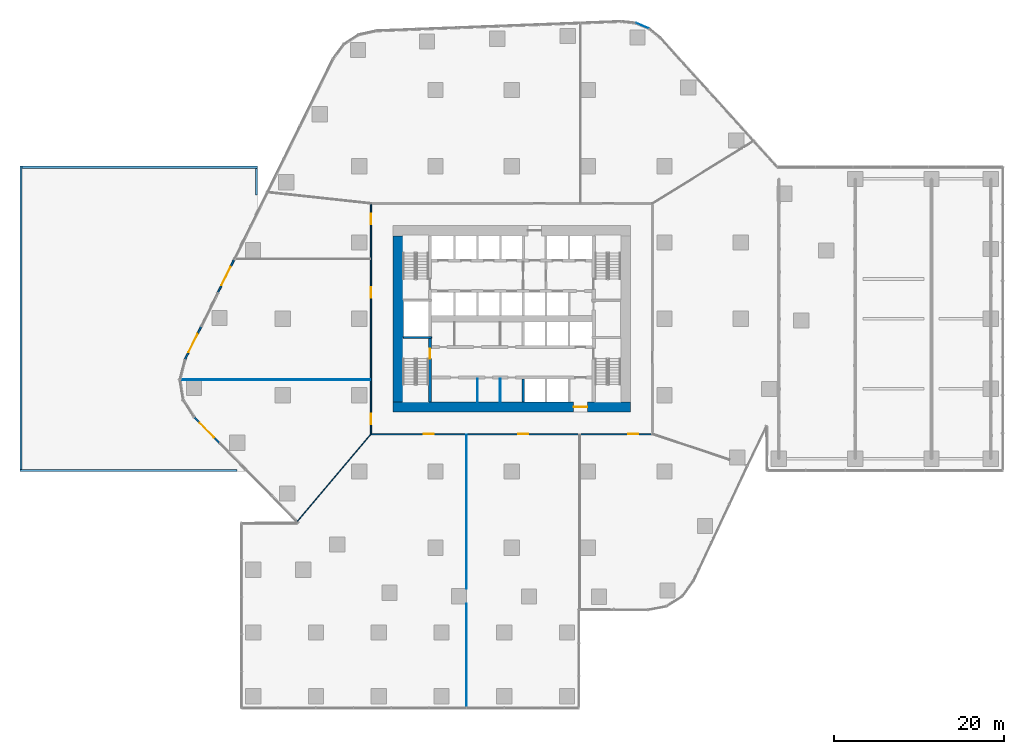
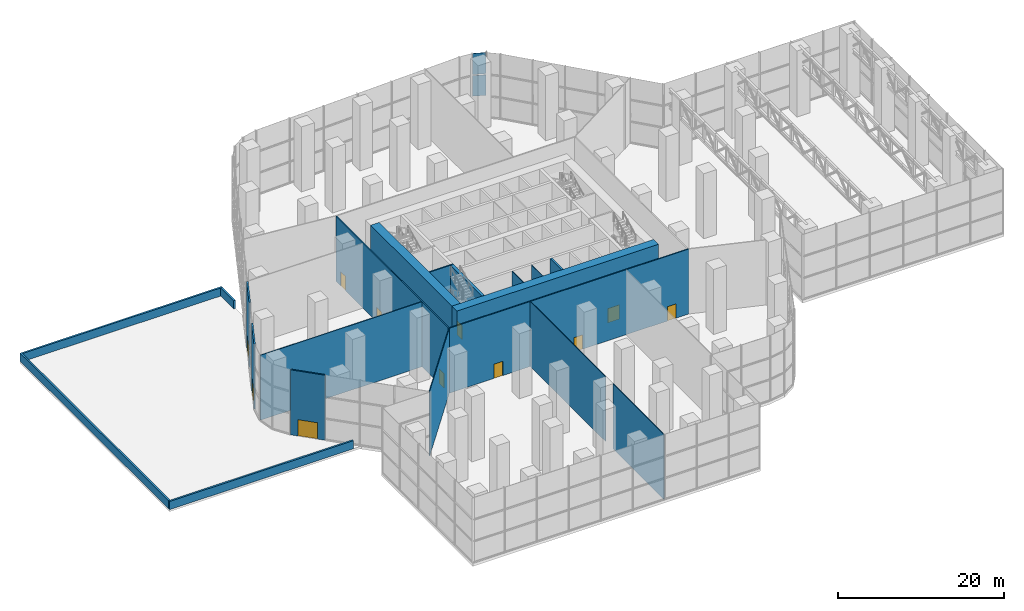
# One storey, part 15 of 21: 20 walls, 11 doors, 2 plates, 11 openings, 1 element without a shape of its own.
"""IFC4 building model written with IfcOpenShell, lengths in metres."""

from ifc_helpers import new_model, si_unit, direction, frame, frame_2d, origin, origin_2d, place, context, subcontext, project, spatial, rectangle, extrude, material, layer, layer_set, type_object, element, fill, aggregate, save


model = new_model("IFC4")

# Units and contexts
model_context = context("Model", 3, precision=1e-05, world=origin(), true_north=direction((0.0, 1.0)))
body_context = subcontext(model_context, "Body", "Model", "MODEL_VIEW")
ifc_project = project(units=[si_unit("LENGTHUNIT", "METRE"), si_unit("AREAUNIT", "SQUARE_METRE"), si_unit("VOLUMEUNIT", "CUBIC_METRE"), si_unit("PLANEANGLEUNIT", "RADIAN"), si_unit("MASSUNIT", "GRAM", prefix="KILO")], contexts=[model_context])

# Site, building, storey
site_placement = place(None, origin())
site = spatial("IfcSite", under=ifc_project, at=site_placement, CompositionType="ELEMENT")
building_placement = place(site_placement, origin())
building = spatial("IfcBuilding", under=site, at=building_placement, Name="Dongbaek Canopy Tower", CompositionType="ELEMENT")
storey_placement = place(building_placement, frame((0.0, 0.0, 9.0)))
storey = spatial("IfcBuildingStorey", under=building, at=storey_placement, Name="L01", CompositionType="ELEMENT", Elevation=9.0)

# Curtain wall, plates
ifc_material_1 = material(Name="Aluminium 6063-T6 pale anodised", Category="aluminium")
ifc_layer_1 = layer(ifc_material_1, 0.300048828125)
ifc_layer_set_1 = layer_set([ifc_layer_1], Name="CW-2 podium hall curtain wall")
curtain_wall_type = type_object("IfcCurtainWallType", Name="CW-2 podium hall curtain wall", PredefinedType="NOTDEFINED", material=ifc_layer_set_1)
curtain_wall_placement = place(storey_placement, origin())
curtain_wall = element("IfcCurtainWall", 1, at=curtain_wall_placement, inside=storey, type_object=curtain_wall_type, Name="CW-2 curtain wall K1.1", PredefinedType="NOTDEFINED")
ifc_material_2 = material(Name="Clear laminated glass", Category="glass")
ifc_layer_2 = layer(ifc_material_2, 0.035888671875)
ifc_layer_set_2 = layer_set([ifc_layer_2], Name="CW-2 glazed panel 36")
plate_type = type_object("IfcPlateType", Name="CW-2 glazed panel 36", PredefinedType="CURTAIN_PANEL", material=ifc_layer_set_2)
plate_1_placement = place(storey_placement, frame((15.412109375, 34.576416015625, 3.26318359375), z_axis=(0.0, 0.0, 1.0), x_axis=(-0.921712269238, 0.387874325956, 0.0)))
plate_1 = element("IfcPlate", 2, at=plate_1_placement, type_object=plate_type, Name="CW-2 panel K1.1.2.2", PredefinedType="CURTAIN_PANEL", context=body_context, shape_type="SweptSolid", body=[
    extrude(rectangle(XDim=1.606689453125, YDim=0.035888671875, at=origin_2d()), origin(), (0.0, 0.0, 1.0), 3.0234375),
])
plate_2_placement = place(storey_placement, frame((15.412109375, 34.576416015625, 6.44677734375), z_axis=(0.0, 0.0, 1.0), x_axis=(-0.921712269238, 0.387874325956, 0.0)))
plate_2 = element("IfcPlate", 3, at=plate_2_placement, type_object=plate_type, Name="CW-2 panel K1.1.2.3", PredefinedType="CURTAIN_PANEL", context=body_context, shape_type="SweptSolid", body=[
    extrude(rectangle(XDim=1.606689453125, YDim=0.035888671875, at=origin_2d()), origin(), (0.0, 0.0, 1.0), 3.103271484375),
])
aggregate(curtain_wall, [plate_1, plate_2])

# Wall, opening, door
ifc_material_3 = material(Name="Concrete C60/75", Category="concrete")
ifc_layer_3 = layer(ifc_material_3, 1.199951171875)
ifc_layer_set_3 = layer_set([ifc_layer_3], Name="Core outer wall 1200 Concrete C60/75")
wall_type_1 = type_object("IfcWallType", Name="Core outer wall 1200 Concrete C60/75", PredefinedType="SHEAR", material=ifc_layer_set_3)
wall_1_placement = place(storey_placement, frame((14.0, -10.39990234375, 0.0), z_axis=(0.0, 0.0, 1.0), x_axis=(-1.0, 0.0, 0.0)))
wall_1 = element("IfcWall", 4, at=wall_1_placement, inside=storey, type_object=wall_type_1, Name="Core wall", PredefinedType="SHEAR", context=body_context, shape_type="SweptSolid", body=[
    extrude(rectangle(XDim=28.0, YDim=1.199951171875, at=frame_2d((14.0, 0.0))), origin(), (0.0, 0.0, 1.0), 9.550048828125),
])
opening_1_placement = place(wall_1_placement, frame((5.10009765625, 0.0, 0.0)))
opening_1 = element("IfcOpeningElement", 5, at=opening_1_placement, cuts=wall_1, Name="Opening L01-D027", PredefinedType="OPENING", context=body_context, shape_type="SweptSolid", body=[
    extrude(rectangle(XDim=1.60009765625, YDim=2.10009765625, at=frame_2d((0.800048828125, 1.050048828125))), frame((0.0, 0.60986328125, 0.0), z_axis=(0.0, -1.0, 0.0), x_axis=(1.0, 0.0, 0.0)), (0.0, 0.0, 1.0), 1.219970703125),
])
ifc_material_4 = material(Name="Steel", Category="steel")
door_type_1 = type_object("IfcDoorType", Name="Core exit door 1600 x 2100", OperationType="DOUBLE_DOOR_SINGLE_SWING", PredefinedType="DOOR", material=ifc_material_4)
door_1_placement = place(opening_1_placement, origin())
door_1 = element("IfcDoor", 6, at=door_1_placement, inside=storey, type_object=door_type_1, Name="Core exit door", OperationType="DOUBLE_DOOR_SINGLE_SWING", OverallHeight=2.10009765625, OverallWidth=1.60009765625, PredefinedType="DOOR", context=body_context, shape_type="SweptSolid", body=[
    extrude(rectangle(XDim=1.60009765625, YDim=2.10009765625, at=frame_2d((0.800048828125, 1.050048828125))), frame((0.0, 0.02490234375, 0.0), z_axis=(0.0, -1.0, 0.0), x_axis=(1.0, 0.0, 0.0)), (0.0, 0.0, 1.0), 0.050048828125),
])
fill(opening_1, door_1)

# Wall
wall_2_placement = place(storey_placement, frame((-13.39990234375, -9.800048828125, 0.0), z_axis=(0.0, 0.0, 1.0), x_axis=(0.0, 1.0, 0.0)))
element("IfcWall", 7, at=wall_2_placement, inside=storey, type_object=wall_type_1, Name="Core wall", PredefinedType="SHEAR", context=body_context, shape_type="SweptSolid", body=[
    extrude(rectangle(XDim=19.60009765625, YDim=1.199951171875, at=frame_2d((9.800048828125, 0.0))), origin(), (0.0, 0.0, 1.0), 9.550048828125),
])

# Wall, opening, door
ifc_material_5 = material(Name="Aluminium window wall", Category="aluminium")
ifc_layer_4 = layer(ifc_material_5, 0.199951171875)
ifc_layer_set_4 = layer_set([ifc_layer_4], Name="Entrance wall 200")
wall_type_2 = type_object("IfcWallType", Name="Entrance wall 200", PredefinedType="SOLIDWALL", material=ifc_layer_set_4)
wall_3_placement = place(storey_placement, frame((-34.68115234375, 3.05859375, 0.0), z_axis=(0.0, 0.0, 1.0), x_axis=(0.441343829608, 0.897338076796, 0.0)))
wall_3 = element("IfcWall", 8, at=wall_3_placement, inside=storey, type_object=wall_type_2, Name="Entrance wall L01 F7 7", PredefinedType="SOLIDWALL", context=body_context, shape_type="SweptSolid", body=[
    extrude(rectangle(XDim=4.3994140625, YDim=0.199951171875, at=frame_2d((2.19970703125, 0.0))), origin(), (0.0, 0.0, 1.0), 9.550048828125),
])
opening_2_placement = place(wall_3_placement, frame((0.999755859375, 0.0, 0.0)))
opening_2 = element("IfcOpeningElement", 9, at=opening_2_placement, cuts=wall_3, Name="Opening L01-T01", PredefinedType="OPENING", context=body_context, shape_type="SweptSolid", body=[
    extrude(rectangle(XDim=2.39990234375, YDim=2.39990234375, at=frame_2d((1.199951171875, 1.199951171875))), frame((0.0, 0.10986328125, 0.0), z_axis=(0.0, -1.0, 0.0), x_axis=(1.0, 0.0, 0.0)), (0.0, 0.0, 1.0), 0.219970703125),
])
ifc_material_6 = material(Name="Clear glazing in aluminium frame", Category="aluminium")
door_type_2 = type_object("IfcDoorType", Name="Entrance door ED1 2400 x 2400", OperationType="DOUBLE_DOOR_SINGLE_SWING", PredefinedType="DOOR", material=ifc_material_6)
door_2_placement = place(opening_2_placement, origin())
door_2 = element("IfcDoor", 10, at=door_2_placement, inside=storey, type_object=door_type_2, Name="Exterior door L01-T01", OperationType="SINGLE_SWING_LEFT", OverallHeight=2.39990234375, OverallWidth=2.39990234375, PredefinedType="DOOR", context=body_context, shape_type="SweptSolid", body=[
    extrude(rectangle(XDim=2.39990234375, YDim=2.39990234375, at=frame_2d((1.199951171875, 1.199951171875))), frame((0.0, 0.02490234375, 0.0), z_axis=(0.0, -1.0, 0.0), x_axis=(1.0, 0.0, 0.0)), (0.0, 0.0, 1.0), 0.050048828125),
])
fill(opening_2, door_2)

wall_4_placement = place(storey_placement, frame((-38.559814453125, -4.82763671875, 0.0), z_axis=(0.0, 0.0, 1.0), x_axis=(0.44132993544, 0.897344910324, 0.0)))
wall_4 = element("IfcWall", 11, at=wall_4_placement, inside=storey, type_object=wall_type_2, Name="Entrance wall L01 F7 9", PredefinedType="SOLIDWALL", context=body_context, shape_type="SweptSolid", body=[
    extrude(rectangle(XDim=4.388916015625, YDim=0.199951171875, at=frame_2d((2.1943359375, 0.0))), origin(), (0.0, 0.0, 1.0), 9.550048828125),
])
opening_3_placement = place(wall_4_placement, frame((0.99462890625, 0.0, 0.0)))
opening_3 = element("IfcOpeningElement", 12, at=opening_3_placement, cuts=wall_4, Name="Opening L01-T02", PredefinedType="OPENING", context=body_context, shape_type="SweptSolid", body=[
    extrude(rectangle(XDim=2.39990234375, YDim=2.39990234375, at=frame_2d((1.199951171875, 1.199951171875))), frame((0.0, 0.10986328125, 0.0), z_axis=(0.0, -1.0, 0.0), x_axis=(1.0, 0.0, 0.0)), (0.0, 0.0, 1.0), 0.219970703125),
])
door_3_placement = place(opening_3_placement, origin())
door_3 = element("IfcDoor", 13, at=door_3_placement, inside=storey, type_object=door_type_2, Name="Exterior door L01-T02", OperationType="SINGLE_SWING_LEFT", OverallHeight=2.39990234375, OverallWidth=2.39990234375, PredefinedType="DOOR", context=body_context, shape_type="SweptSolid", body=[
    extrude(rectangle(XDim=2.39990234375, YDim=2.39990234375, at=frame_2d((1.199951171875, 1.199951171875))), frame((0.0, 0.02490234375, 0.0), z_axis=(0.0, -1.0, 0.0), x_axis=(1.0, 0.0, 0.0)), (0.0, 0.0, 1.0), 0.050048828125),
])
fill(opening_3, door_3)

wall_5_placement = place(storey_placement, frame((-34.432861328125, -14.668212890625, 0.0), z_axis=(0.0, 0.0, 1.0), x_axis=(-0.701721153611, 0.712451698415, 0.0)))
wall_5 = element("IfcWall", 14, at=wall_5_placement, inside=storey, type_object=wall_type_2, Name="Entrance wall L01 F8 1", PredefinedType="SOLIDWALL", context=body_context, shape_type="SweptSolid", body=[
    extrude(rectangle(XDim=4.32275390625, YDim=0.199951171875, at=frame_2d((2.161376953125, 0.0))), origin(), (0.0, 0.0, 1.0), 9.550048828125),
])
opening_4_placement = place(wall_5_placement, frame((0.96142578125, 0.0, 0.0)))
opening_4 = element("IfcOpeningElement", 15, at=opening_4_placement, cuts=wall_5, Name="Opening L01-T03", PredefinedType="OPENING", context=body_context, shape_type="SweptSolid", body=[
    extrude(rectangle(XDim=2.39990234375, YDim=2.39990234375, at=frame_2d((1.199951171875, 1.199951171875))), frame((0.0, 0.10986328125, 0.0), z_axis=(0.0, -1.0, 0.0), x_axis=(1.0, 0.0, 0.0)), (0.0, 0.0, 1.0), 0.219970703125),
])
door_4_placement = place(opening_4_placement, origin())
door_4 = element("IfcDoor", 16, at=door_4_placement, inside=storey, type_object=door_type_2, Name="Exterior door L01-T03", OperationType="SINGLE_SWING_LEFT", OverallHeight=2.39990234375, OverallWidth=2.39990234375, PredefinedType="DOOR", context=body_context, shape_type="SweptSolid", body=[
    extrude(rectangle(XDim=2.39990234375, YDim=2.39990234375, at=frame_2d((1.199951171875, 1.199951171875))), frame((0.0, 0.02490234375, 0.0), z_axis=(0.0, -1.0, 0.0), x_axis=(1.0, 0.0, 0.0)), (0.0, 0.0, 1.0), 0.050048828125),
])
fill(opening_4, door_4)

# Wall, openings, doors
ifc_material_7 = material(Name="Gypsum board partition, steel stud, 2 x 15 mm fire board", Category="steel")
ifc_layer_5 = layer(ifc_material_7, 0.14990234375)
ifc_layer_set_5 = layer_set([ifc_layer_5], Name="Fire-rated partition 150 gypsum board")
wall_type_3 = type_object("IfcWallType", Name="Fire-rated partition 150 gypsum board", PredefinedType="PARTITIONING", material=ifc_layer_set_5)
wall_6_placement = place(storey_placement, frame((16.675048828125, -13.60009765625, 0.0), z_axis=(0.0, 0.0, 1.0), x_axis=(-1.0, 0.0, 0.0)))
wall_6 = element("IfcWall", 17, at=wall_6_placement, inside=storey, type_object=wall_type_3, Name="Corridor partition", PredefinedType="PARTITIONING", context=body_context, shape_type="SweptSolid", body=[
    extrude(rectangle(XDim=33.35009765625, YDim=0.14990234375, at=frame_2d((16.675048828125, 0.0))), origin(), (0.0, 0.0, 1.0), 9.550048828125),
])
opening_5_placement = place(wall_6_placement, frame((25.852783203125, 0.0, 0.0)))
opening_5 = element("IfcOpeningElement", 18, at=opening_5_placement, cuts=wall_6, Name="Opening L01-D003", PredefinedType="OPENING", context=body_context, shape_type="SweptSolid", body=[
    extrude(rectangle(XDim=1.199951171875, YDim=2.10009765625, at=frame_2d((0.60009765625, 1.050048828125))), frame((0.0, 0.0849609375, 0.0), z_axis=(0.0, -1.0, 0.0), x_axis=(1.0, 0.0, 0.0)), (0.0, 0.0, 1.0), 0.169921875),
])
opening_6_placement = place(wall_6_placement, frame((14.74169921875, 0.0, 0.0)))
opening_6 = element("IfcOpeningElement", 19, at=opening_6_placement, cuts=wall_6, Name="Opening L01-D004", PredefinedType="OPENING", context=body_context, shape_type="SweptSolid", body=[
    extrude(rectangle(XDim=1.199951171875, YDim=2.10009765625, at=frame_2d((0.60009765625, 1.050048828125))), frame((0.0, 0.0849609375, 0.0), z_axis=(0.0, -1.0, 0.0), x_axis=(1.0, 0.0, 0.0)), (0.0, 0.0, 1.0), 0.169921875),
])
opening_7_placement = place(wall_6_placement, frame((1.763671875, 0.0, 0.0)))
opening_7 = element("IfcOpeningElement", 20, at=opening_7_placement, cuts=wall_6, Name="Opening L01-D005", PredefinedType="OPENING", context=body_context, shape_type="SweptSolid", body=[
    extrude(rectangle(XDim=1.199951171875, YDim=2.10009765625, at=frame_2d((0.60009765625, 1.050048828125))), frame((0.0, 0.0849609375, 0.0), z_axis=(0.0, -1.0, 0.0), x_axis=(1.0, 0.0, 0.0)), (0.0, 0.0, 1.0), 0.169921875),
])
ifc_material_8 = material(Name="Timber veneered door leaf", Category="wood")
door_type_3 = type_object("IfcDoorType", Name="Room door 1200 x 2100", OperationType="SINGLE_SWING_LEFT", PredefinedType="DOOR", material=ifc_material_8)
door_5_placement = place(opening_5_placement, origin())
door_5 = element("IfcDoor", 21, at=door_5_placement, inside=storey, type_object=door_type_3, Name="Door L01-D003", OperationType="SINGLE_SWING_RIGHT", OverallHeight=2.10009765625, OverallWidth=1.199951171875, PredefinedType="DOOR", context=body_context, shape_type="SweptSolid", body=[
    extrude(rectangle(XDim=1.199951171875, YDim=2.10009765625, at=frame_2d((0.60009765625, 1.050048828125))), frame((0.0, 0.02490234375, 0.0), z_axis=(0.0, -1.0, 0.0), x_axis=(1.0, 0.0, 0.0)), (0.0, 0.0, 1.0), 0.050048828125),
])
fill(opening_5, door_5)
door_6_placement = place(opening_6_placement, origin())
door_6 = element("IfcDoor", 22, at=door_6_placement, inside=storey, type_object=door_type_3, Name="Door L01-D004", OperationType="SINGLE_SWING_LEFT", OverallHeight=2.10009765625, OverallWidth=1.199951171875, PredefinedType="DOOR", context=body_context, shape_type="SweptSolid", body=[
    extrude(rectangle(XDim=1.199951171875, YDim=2.10009765625, at=frame_2d((0.60009765625, 1.050048828125))), frame((0.0, 0.02490234375, 0.0), z_axis=(0.0, -1.0, 0.0), x_axis=(1.0, 0.0, 0.0)), (0.0, 0.0, 1.0), 0.050048828125),
])
fill(opening_6, door_6)
door_7_placement = place(opening_7_placement, origin())
door_7 = element("IfcDoor", 23, at=door_7_placement, inside=storey, type_object=door_type_3, Name="Door L01-D005", OperationType="SINGLE_SWING_RIGHT", OverallHeight=2.10009765625, OverallWidth=1.199951171875, PredefinedType="DOOR", context=body_context, shape_type="SweptSolid", body=[
    extrude(rectangle(XDim=1.199951171875, YDim=2.10009765625, at=frame_2d((0.60009765625, 1.050048828125))), frame((0.0, 0.02490234375, 0.0), z_axis=(0.0, -1.0, 0.0), x_axis=(1.0, 0.0, 0.0)), (0.0, 0.0, 1.0), 0.050048828125),
])
fill(opening_7, door_7)

wall_7_placement = place(storey_placement, frame((-16.60009765625, -13.52490234375, 0.0), z_axis=(0.0, 0.0, 1.0), x_axis=(0.0, 1.0, 0.0)))
wall_7 = element("IfcWall", 24, at=wall_7_placement, inside=storey, type_object=wall_type_3, Name="Corridor partition", PredefinedType="PARTITIONING", context=body_context, shape_type="SweptSolid", body=[
    extrude(rectangle(XDim=27.0498046875, YDim=0.14990234375, at=frame_2d((13.52490234375, 0.0))), origin(), (0.0, 0.0, 1.0), 9.550048828125),
])
opening_8_placement = place(wall_7_placement, frame((16.02783203125, 0.0, 0.0)))
opening_8 = element("IfcOpeningElement", 25, at=opening_8_placement, cuts=wall_7, Name="Opening L01-D001", PredefinedType="OPENING", context=body_context, shape_type="SweptSolid", body=[
    extrude(rectangle(XDim=1.199951171875, YDim=2.10009765625, at=frame_2d((0.60009765625, 1.050048828125))), frame((0.0, 0.0849609375, 0.0), z_axis=(0.0, -1.0, 0.0), x_axis=(1.0, 0.0, 0.0)), (0.0, 0.0, 1.0), 0.169921875),
])
opening_9_placement = place(wall_7_placement, frame((1.121337890625, 0.0, 0.0)))
opening_9 = element("IfcOpeningElement", 26, at=opening_9_placement, cuts=wall_7, Name="Opening L01-D002", PredefinedType="OPENING", context=body_context, shape_type="SweptSolid", body=[
    extrude(rectangle(XDim=1.199951171875, YDim=2.10009765625, at=frame_2d((0.60009765625, 1.050048828125))), frame((0.0, 0.0849609375, 0.0), z_axis=(0.0, -1.0, 0.0), x_axis=(1.0, 0.0, 0.0)), (0.0, 0.0, 1.0), 0.169921875),
])
opening_10_placement = place(wall_7_placement, frame((24.705078125, 0.0, 0.0)))
opening_10 = element("IfcOpeningElement", 27, at=opening_10_placement, cuts=wall_7, Name="Opening L01-D009", PredefinedType="OPENING", context=body_context, shape_type="SweptSolid", body=[
    extrude(rectangle(XDim=1.199951171875, YDim=2.10009765625, at=frame_2d((0.60009765625, 1.050048828125))), frame((0.0, 0.0849609375, 0.0), z_axis=(0.0, -1.0, 0.0), x_axis=(1.0, 0.0, 0.0)), (0.0, 0.0, 1.0), 0.169921875),
])
door_8_placement = place(opening_8_placement, origin())
door_8 = element("IfcDoor", 28, at=door_8_placement, inside=storey, type_object=door_type_3, Name="Door L01-D001", OperationType="SINGLE_SWING_RIGHT", OverallHeight=2.10009765625, OverallWidth=1.199951171875, PredefinedType="DOOR", context=body_context, shape_type="SweptSolid", body=[
    extrude(rectangle(XDim=1.199951171875, YDim=2.10009765625, at=frame_2d((0.60009765625, 1.050048828125))), frame((0.0, 0.02490234375, 0.0), z_axis=(0.0, -1.0, 0.0), x_axis=(1.0, 0.0, 0.0)), (0.0, 0.0, 1.0), 0.050048828125),
])
fill(opening_8, door_8)
door_9_placement = place(opening_9_placement, origin())
door_9 = element("IfcDoor", 29, at=door_9_placement, inside=storey, type_object=door_type_3, Name="Door L01-D002", OperationType="SINGLE_SWING_LEFT", OverallHeight=2.10009765625, OverallWidth=1.199951171875, PredefinedType="DOOR", context=body_context, shape_type="SweptSolid", body=[
    extrude(rectangle(XDim=1.199951171875, YDim=2.10009765625, at=frame_2d((0.60009765625, 1.050048828125))), frame((0.0, 0.02490234375, 0.0), z_axis=(0.0, -1.0, 0.0), x_axis=(1.0, 0.0, 0.0)), (0.0, 0.0, 1.0), 0.050048828125),
])
fill(opening_9, door_9)
door_10_placement = place(opening_10_placement, origin())
door_10 = element("IfcDoor", 30, at=door_10_placement, inside=storey, type_object=door_type_3, Name="Door L01-D009", OperationType="SINGLE_SWING_RIGHT", OverallHeight=2.10009765625, OverallWidth=1.199951171875, PredefinedType="DOOR", context=body_context, shape_type="SweptSolid", body=[
    extrude(rectangle(XDim=1.199951171875, YDim=2.10009765625, at=frame_2d((0.60009765625, 1.050048828125))), frame((0.0, 0.02490234375, 0.0), z_axis=(0.0, -1.0, 0.0), x_axis=(1.0, 0.0, 0.0)), (0.0, 0.0, 1.0), 0.050048828125),
])
fill(opening_10, door_10)

# Walls
ifc_material_9 = material(Name="Concrete C40/50", Category="concrete")
ifc_layer_6 = layer(ifc_material_9, 0.25)
ifc_layer_set_6 = layer_set([ifc_layer_6], Name="Lift shaft wall 250 Concrete C40/50")
wall_type_4 = type_object("IfcWallType", Name="Lift shaft wall 250 Concrete C40/50", PredefinedType="SOLIDWALL", material=ifc_layer_set_6)
wall_8_placement = place(storey_placement, frame((1.35009765625, -9.800048828125, 0.0), z_axis=(0.0, 0.0, 1.0), x_axis=(0.0, 1.0, 0.0)))
element("IfcWall", 31, at=wall_8_placement, inside=storey, type_object=wall_type_4, Name="Lift shaft wall", PredefinedType="SOLIDWALL", context=body_context, shape_type="SweptSolid", body=[
    extrude(rectangle(XDim=2.72509765625, YDim=0.25, at=frame_2d((1.362548828125, 0.0))), origin(), (0.0, 0.0, 1.0), 9.550048828125),
])
ifc_material_10 = material(Name="Precast concrete C40/50 with pale metal coping", Category="concrete")
ifc_layer_7 = layer(ifc_material_10, 0.25)
ifc_layer_set_7 = layer_set([ifc_layer_7], Name="Parapet 250")
wall_type_5 = type_object("IfcWallType", Name="Parapet 250", PredefinedType="PARAPET", material=ifc_layer_set_7)
wall_9_placement = place(storey_placement, frame((-57.875, -18.0, 0.0), z_axis=(0.0, 0.0, 1.0), x_axis=(0.0, 1.0, 0.0)))
element("IfcWall", 32, at=wall_9_placement, inside=storey, type_object=wall_type_5, Name="Parapet L01 WW 1", PredefinedType="PARAPET", context=body_context, shape_type="SweptSolid", body=[
    extrude(rectangle(XDim=36.0, YDim=0.25, at=frame_2d((18.0, 0.0))), origin(), (0.0, 0.0, 1.0), 1.199951171875),
])
wall_10_placement = place(storey_placement, frame((-57.75, 17.875, 0.0), z_axis=(0.0, 0.0, 1.0), x_axis=(1.0, 0.0, 0.0)))
element("IfcWall", 33, at=wall_10_placement, inside=storey, type_object=wall_type_5, Name="Parapet L01 WW 2", PredefinedType="PARAPET", context=body_context, shape_type="SweptSolid", body=[
    extrude(rectangle(XDim=27.75, YDim=0.25, at=frame_2d((13.875, 0.0))), origin(), (0.0, 0.0, 1.0), 1.199951171875),
])
wall_11_placement = place(storey_placement, frame((-30.125, 17.75, 0.0), z_axis=(0.0, 0.0, 1.0), x_axis=(0.0, -1.0, 0.0)))
element("IfcWall", 34, at=wall_11_placement, inside=storey, type_object=wall_type_5, Name="Parapet L01 WW 3", PredefinedType="PARAPET", context=body_context, shape_type="SweptSolid", body=[
    extrude(rectangle(XDim=3.134521484375, YDim=0.25, at=frame_2d((1.5673828125, 0.0))), origin(), (0.0, 0.0, 1.0), 1.199951171875),
])
wall_12_placement = place(storey_placement, frame((-32.41455078125, -17.875, 0.0), z_axis=(0.0, 0.0, 1.0), x_axis=(-1.0, 0.0, 0.0)))
element("IfcWall", 35, at=wall_12_placement, inside=storey, type_object=wall_type_5, Name="Parapet L01 WW 4", PredefinedType="PARAPET", context=body_context, shape_type="SweptSolid", body=[
    extrude(rectangle(XDim=25.58544921875, YDim=0.25, at=frame_2d((12.792724609375, 0.0))), origin(), (0.0, 0.0, 1.0), 1.199951171875),
])
ifc_material_11 = material(Name="Gypsum board partition, steel stud, 2 x 12.5 mm board", Category="steel")
ifc_layer_8 = layer(ifc_material_11, 0.10009765625)
ifc_layer_set_8 = layer_set([ifc_layer_8], Name="Partition 100 gypsum board")
wall_type_6 = type_object("IfcWallType", Name="Partition 100 gypsum board", PredefinedType="PARTITIONING", material=ifc_layer_set_8)
wall_13_placement = place(storey_placement, frame((-39.139892578125, -7.16796875, 0.0), z_axis=(0.0, 0.0, 1.0), x_axis=(1.0, 0.0, 0.0)))
element("IfcWall", 36, at=wall_13_placement, inside=storey, type_object=wall_type_6, Name="Partition", PredefinedType="PARTITIONING", context=body_context, shape_type="SweptSolid", body=[
    extrude(rectangle(XDim=22.46484375, YDim=0.10009765625, at=frame_2d((11.232421875, 0.0))), origin(), (0.0, 0.0, 1.0), 9.550048828125),
])
wall_14_placement = place(storey_placement, frame((-25.304443359375, -23.907958984375, 0.0), z_axis=(0.0, 0.0, 1.0), x_axis=(0.645188329464, 0.764023572623, 0.0)))
element("IfcWall", 37, at=wall_14_placement, inside=storey, type_object=wall_type_6, Name="Partition", PredefinedType="PARTITIONING", context=body_context, shape_type="SweptSolid", body=[
    extrude(rectangle(XDim=13.491455078125, YDim=0.10009765625, at=frame_2d((6.74560546875, 0.0))), origin(), (0.0, 0.0, 1.0), 9.550048828125),
])
wall_15_placement = place(storey_placement, frame((-5.3330078125, -45.8798828125, 0.0), z_axis=(0.0, 0.0, 1.0), x_axis=(0.0, 1.0, 0.0)))
element("IfcWall", 38, at=wall_15_placement, inside=storey, type_object=wall_type_6, Name="Partition", PredefinedType="PARTITIONING", context=body_context, shape_type="SweptSolid", body=[
    extrude(rectangle(XDim=12.262939453125, YDim=0.10009765625, at=frame_2d((6.13134765625, 0.0))), origin(), (0.0, 0.0, 1.0), 9.550048828125),
])
wall_16_placement = place(storey_placement, frame((-5.3330078125, -31.81689453125, 0.0), z_axis=(0.0, 0.0, 1.0), x_axis=(0.0, 1.0, 0.0)))
element("IfcWall", 39, at=wall_16_placement, inside=storey, type_object=wall_type_6, Name="Partition", PredefinedType="PARTITIONING", context=body_context, shape_type="SweptSolid", body=[
    extrude(rectangle(XDim=18.141845703125, YDim=0.10009765625, at=frame_2d((9.07080078125, 0.0))), origin(), (0.0, 0.0, 1.0), 9.550048828125),
])
for number, where, z_axis, x_axis, name in (
    (40, (-1.35009765625, -9.800048828125, 0.0), (0.0, 0.0, 1.0), (0.0, 1.0, 0.0), "Core partition"),
    (41, (-4.050048828125, -9.800048828125, 0.0), (0.0, 0.0, 1.0), (0.0, 1.0, 0.0), "Core partition"),
):
    element("IfcWall", number, at=place(storey_placement, frame(where, z_axis=z_axis, x_axis=x_axis)), inside=storey, type_object=wall_type_6, Name=name, PredefinedType="PARTITIONING", context=body_context, shape_type="SweptSolid", body=[
        extrude(rectangle(XDim=2.72509765625, YDim=0.10009765625, at=frame_2d((1.362548828125, 0.0))), origin(), (0.0, 0.0, 1.0), 9.550048828125),
    ])
ifc_material_12 = material(Name="Concrete C60/75", Category="concrete")
ifc_layer_9 = layer(ifc_material_12, 0.199951171875)
ifc_layer_set_9 = layer_set([ifc_layer_9], Name="Riser wall 200 Concrete C60/75")
wall_type_7 = type_object("IfcWallType", Name="Riser wall 200 Concrete C60/75", PredefinedType="SHEAR", material=ifc_layer_set_9)
wall_17_placement = place(storey_placement, frame((-9.449951171875, -2.199951171875, 0.0), z_axis=(0.0, 0.0, 1.0), x_axis=(-1.0, 0.0, 0.0)))
element("IfcWall", 42, at=wall_17_placement, inside=storey, type_object=wall_type_7, Name="Riser wall", PredefinedType="SHEAR", context=body_context, shape_type="SweptSolid", body=[
    extrude(rectangle(XDim=3.35009765625, YDim=0.199951171875, at=frame_2d((1.675048828125, 0.0))), origin(), (0.0, 0.0, 1.0), 9.550048828125),
])

# Wall, opening, door
ifc_material_13 = material(Name="Concrete C60/75", Category="concrete")
ifc_layer_10 = layer(ifc_material_13, 0.39990234375)
ifc_layer_set_10 = layer_set([ifc_layer_10], Name="Stair wall 400 Concrete C60/75")
wall_type_8 = type_object("IfcWallType", Name="Stair wall 400 Concrete C60/75", PredefinedType="SHEAR", material=ifc_layer_set_10)
wall_18_placement = place(storey_placement, frame((-9.64990234375, -9.800048828125, 0.0), z_axis=(0.0, 0.0, 1.0), x_axis=(0.0, 1.0, 0.0)))
wall_18 = element("IfcWall", 43, at=wall_18_placement, inside=storey, type_object=wall_type_8, Name="Stair wall", PredefinedType="SHEAR", context=body_context, shape_type="SweptSolid", body=[
    extrude(rectangle(XDim=7.5, YDim=0.39990234375, at=frame_2d((3.75, 0.0))), origin(), (0.0, 0.0, 1.0), 9.550048828125),
])
opening_11_placement = place(wall_18_placement, frame((5.10009765625, 0.0, 0.0)))
opening_11 = element("IfcOpeningElement", 44, at=opening_11_placement, cuts=wall_18, Name="Opening L01-D038", PredefinedType="OPENING", context=body_context, shape_type="SweptSolid", body=[
    extrude(rectangle(XDim=1.199951171875, YDim=2.10009765625, at=frame_2d((0.60009765625, 1.050048828125))), frame((0.0, 0.2099609375, 0.0), z_axis=(0.0, -1.0, 0.0), x_axis=(1.0, 0.0, 0.0)), (0.0, 0.0, 1.0), 0.419921875),
])
ifc_material_14 = material(Name="Steel", Category="steel")
door_type_4 = type_object("IfcDoorType", Name="Stair door 1200 x 2100", OperationType="SINGLE_SWING_LEFT", PredefinedType="DOOR", material=ifc_material_14)
door_11_placement = place(opening_11_placement, origin())
door_11 = element("IfcDoor", 45, at=door_11_placement, inside=storey, type_object=door_type_4, Name="Stair D door", OperationType="SINGLE_SWING_LEFT", OverallHeight=2.10009765625, OverallWidth=1.199951171875, PredefinedType="DOOR", context=body_context, shape_type="SweptSolid", body=[
    extrude(rectangle(XDim=1.199951171875, YDim=2.10009765625, at=frame_2d((0.60009765625, 1.050048828125))), frame((0.0, 0.02490234375, 0.0), z_axis=(0.0, -1.0, 0.0), x_axis=(1.0, 0.0, 0.0)), (0.0, 0.0, 1.0), 0.050048828125),
])
fill(opening_11, door_11)

save(model, "model.ifc")
